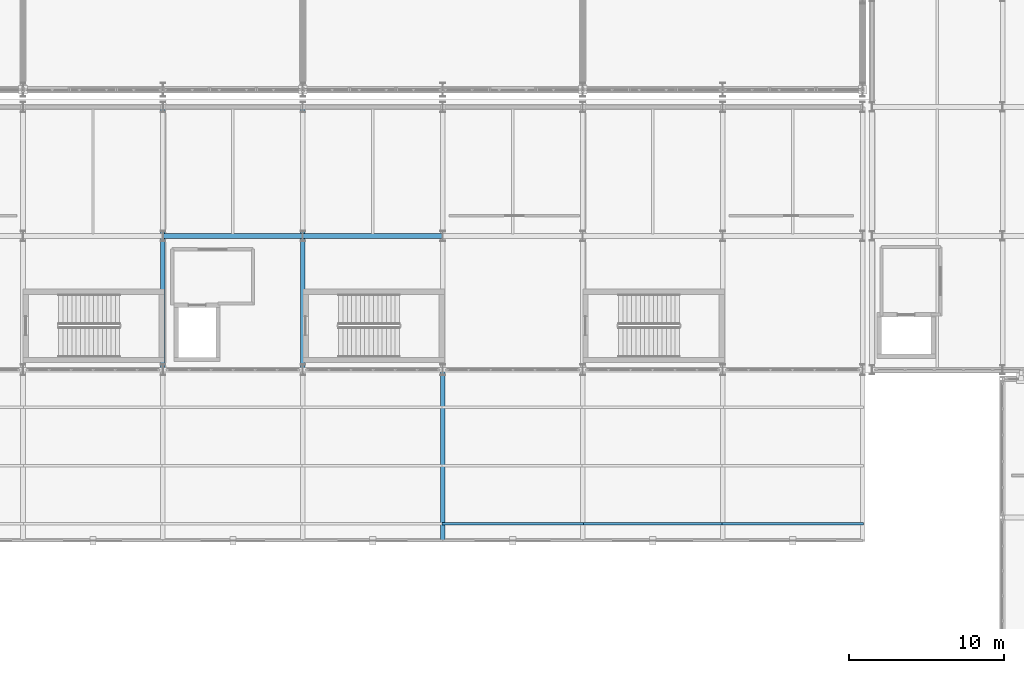
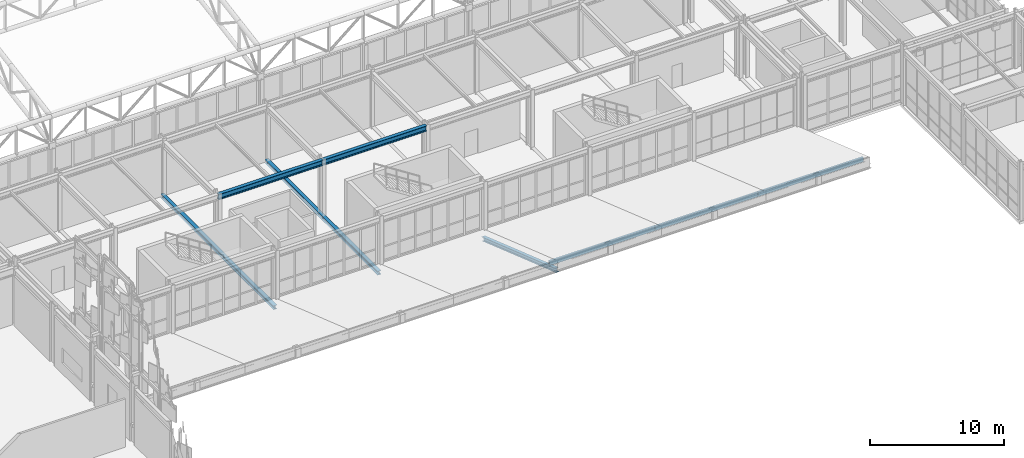
# One storey, part 55 of 239: 6 members, 2 beams.
"""IFC4 building model written with IfcOpenShell, lengths in metres."""

from ifc_helpers import new_model, si_unit, direction, frame, origin, origin_2d, place, context, subcontext, project, spatial, rectangle, i_section, extrude, material, material_profile, profile_set, type_object, element, save


model = new_model("IFC4")

# Units and contexts
model_context = context("Model", 3, precision=1e-05, world=origin(), true_north=direction((0.0, 1.0)))
body_context = subcontext(model_context, "Body", "Model", "MODEL_VIEW")
ifc_project = project(units=[si_unit("LENGTHUNIT", "METRE"), si_unit("AREAUNIT", "SQUARE_METRE"), si_unit("VOLUMEUNIT", "CUBIC_METRE"), si_unit("PLANEANGLEUNIT", "RADIAN"), si_unit("MASSUNIT", "GRAM", prefix="KILO")], contexts=[model_context])

# Site, building, storey
site_placement = place(None, origin())
site = spatial("IfcSite", under=ifc_project, at=site_placement, CompositionType="ELEMENT")
building_placement = place(site_placement, origin())
building = spatial("IfcBuilding", under=site, at=building_placement, Name="Kaldris Quays Convention Centre", CompositionType="ELEMENT")
storey_placement = place(building_placement, frame((0.0, 0.0, 11.39990234375)))
storey = spatial("IfcBuildingStorey", under=building, at=storey_placement, Name="L02", CompositionType="ELEMENT", Elevation=11.39990234375)

# Beams
ifc_material_1 = material(Name="Steel S355J2", Category="steel")
ifc_material_profile_1 = material_profile(ifc_material_1, i_section(OverallWidth=0.300048828125, OverallDepth=0.5, WebThickness=0.014404296875, FlangeThickness=0.028076171875, FilletRadius=0.027099609375, at=origin_2d()), Name="HEB 500")
ifc_profile_set_1 = profile_set([ifc_material_profile_1], Name="Steel S355J2")
beam_type = type_object("IfcBeamType", Name="STRUCTURAL BEAM BM06", PredefinedType="BEAM", material=ifc_profile_set_1)
for number, where, z_axis, x_axis, name in (
    (1, (101.00244140625, 46.60009765625, 4.9130859375), (1.0, 0.0, 0.0), (0.0, 1.0, 0.0), "L02 Girder BM06 12"),
    (2, (110.00244140625, 46.60009765625, 4.9130859375), (1.0, 0.0, 0.0), (0.0, 1.0, 0.0), "L02 Girder BM06 13"),
):
    element("IfcBeam", number, at=place(storey_placement, frame(where, z_axis=z_axis, x_axis=x_axis)), inside=storey, type_object=beam_type, Name=name, PredefinedType="BEAM", context=body_context, shape_type="SweptSolid", body=[
        extrude(i_section(OverallWidth=0.300048828125, OverallDepth=0.5, WebThickness=0.014404296875, FlangeThickness=0.028076171875, FilletRadius=0.027099609375, at=origin_2d()), origin(), (0.0, 0.0, 1.0), 8.9951171875),
    ])

# Members
ifc_material_2 = material(Name="Glulam GL28h", Category="wood")
ifc_material_profile_2 = material_profile(ifc_material_2, rectangle(XDim=0.159912109375, YDim=0.39990234375, at=origin_2d()), Name="GL 160x400")
ifc_profile_set_2 = profile_set([ifc_material_profile_2], Name="Glulam GL28h")
member_type_1 = type_object("IfcMemberType", Name="STRUCTURAL MEMBER PR01", PredefinedType="PURLIN", material=ifc_profile_set_2)
for number, where, z_axis, x_axis, name in (
    (3, (118.949951171875, 28.10009765625, 3.776611328125), (1.0, 0.0, 0.0), (0.0, 1.0, 0.0), "WR-SOUTH-ENTRY Glulam Wing Purlin 5"),
    (4, (127.949951171875, 28.10009765625, 3.776611328125), (1.0, 0.0, 0.0), (0.0, 1.0, 0.0), "WR-SOUTH-ENTRY Glulam Wing Purlin 6"),
    (5, (136.949951171875, 28.10009765625, 3.776611328125), (1.0, 0.0, 0.0), (0.0, 1.0, 0.0), "WR-SOUTH-ENTRY Glulam Wing Purlin 7"),
):
    element("IfcMember", number, at=place(storey_placement, frame(where, z_axis=z_axis, x_axis=x_axis)), inside=storey, type_object=member_type_1, Name=name, PredefinedType="PURLIN", context=body_context, shape_type="SweptSolid", body=[
        extrude(rectangle(XDim=0.159912109375, YDim=0.39990234375, at=origin_2d()), origin(), (0.0, 0.0, 1.0), 9.10009765625),
    ])
ifc_material_profile_3 = material_profile(ifc_material_1, i_section(OverallWidth=0.300048828125, OverallDepth=0.35009765625, WebThickness=0.010009765625, FlangeThickness=0.017578125, FilletRadius=0.027099609375, at=origin_2d()), Name="HEA 360")
ifc_profile_set_3 = profile_set([ifc_material_profile_3], Name="Steel S355J2")
member_type_2 = type_object("IfcMemberType", Name="STRUCTURAL MEMBER WRF1", PredefinedType="RAFTER", material=ifc_profile_set_3)
for number, where, z_axis, x_axis, name in (
    (6, (101.0, 54.89990234375, -0.000244140625), (0.0, -1.0, 0.0), (1.0, 0.0, 0.0), "WR-SOUTH-ENTRY Wing Rafter Backspan 3"),
    (7, (110.0, 54.89990234375, -0.000244140625), (0.0, -1.0, 0.0), (1.0, 0.0, 0.0), "WR-SOUTH-ENTRY Wing Rafter Backspan 4"),
):
    element("IfcMember", number, at=place(storey_placement, frame(where, z_axis=z_axis, x_axis=x_axis)), inside=storey, type_object=member_type_2, Name=name, PredefinedType="RAFTER", context=body_context, shape_type="SweptSolid", body=[
        extrude(i_section(OverallWidth=0.300048828125, OverallDepth=0.35009765625, WebThickness=0.010009765625, FlangeThickness=0.017578125, FilletRadius=0.027099609375, at=origin_2d()), origin(), (0.0, 0.0, 1.0), 16.89990234375),
    ])
member_placement = place(storey_placement, frame((119.0, 38.0, -0.000244140625), z_axis=(0.0, -0.945518736739, 0.325567686474), x_axis=(1.0, 0.0, 0.0)))
element("IfcMember", 8, at=member_placement, inside=storey, type_object=member_type_2, Name="WR-SOUTH-ENTRY Wing Cantilever Rafter 5", PredefinedType="RAFTER", context=body_context, shape_type="SweptSolid", body=[
    extrude(i_section(OverallWidth=0.300048828125, OverallDepth=0.35009765625, WebThickness=0.010009765625, FlangeThickness=0.017578125, FilletRadius=0.027099609375, at=origin_2d()), origin(), (0.0, 0.0, 1.0), 11.6337890625),
])

save(model, "model.ifc")
